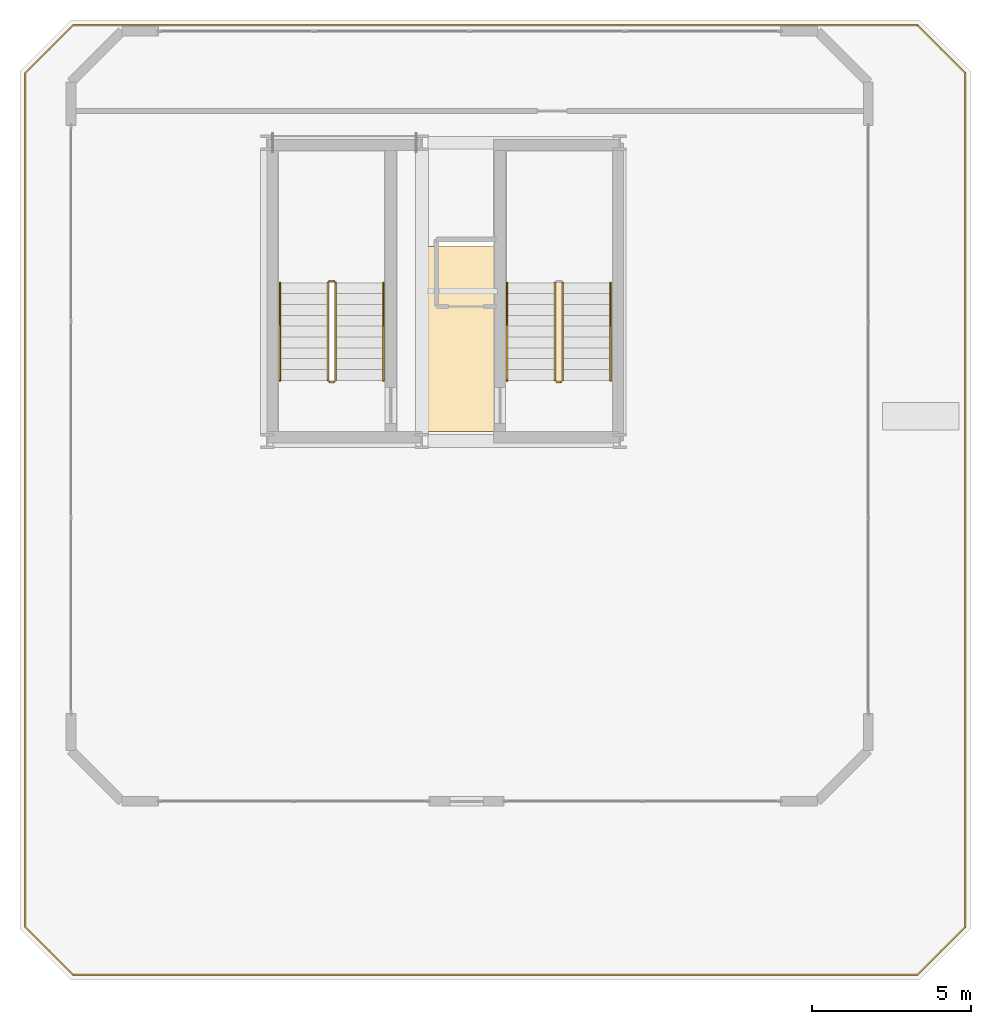
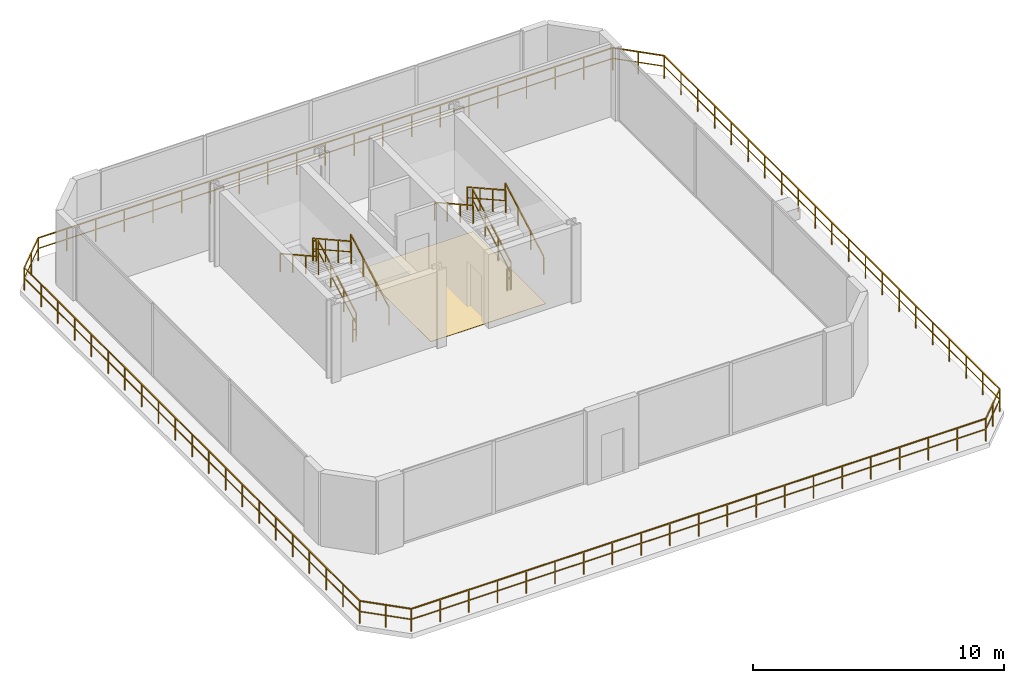
# One storey, part 15 of 16: 13 railings, 1 covering.
"""IFC4 building model written with IfcOpenShell, lengths in metres."""

from ifc_helpers import new_model, si_unit, direction, frame, origin, origin_2d, place, context, subcontext, project, spatial, polyline, rectangle, outline, extrude, material, layer, layer_set, type_object, element, save


model = new_model("IFC4")

# Units and contexts
model_context = context("Model", 3, precision=1e-05, world=origin(), true_north=direction((0.0, 1.0)))
body_context = subcontext(model_context, "Body", "Model", "MODEL_VIEW")
ifc_project = project(units=[si_unit("LENGTHUNIT", "METRE"), si_unit("AREAUNIT", "SQUARE_METRE"), si_unit("VOLUMEUNIT", "CUBIC_METRE"), si_unit("PLANEANGLEUNIT", "RADIAN"), si_unit("MASSUNIT", "GRAM", prefix="KILO")], contexts=[model_context])

# Site, building, storey
site_placement = place(None, origin())
site = spatial("IfcSite", under=ifc_project, at=site_placement, CompositionType="ELEMENT")
building_placement = place(site_placement, origin())
building = spatial("IfcBuilding", under=site, at=building_placement, Name="Zuhayl Quay Hotel", CompositionType="ELEMENT")
storey_placement = place(building_placement, frame((0.0, 0.0, 308.64990234375)))
storey = spatial("IfcBuildingStorey", under=building, at=storey_placement, Name="Crown 4", CompositionType="ELEMENT", Elevation=308.64990234375)

# Covering
ifc_material_1 = material(Name="EPDM Elastomeric Waterproofing Membrane")
ifc_layer = layer(ifc_material_1, 0.014892578125, Name="EPDM Elastomeric Waterproofing Membrane")
ifc_layer_set = layer_set([ifc_layer], Name="EPDM Elastomeric Waterproofing Membrane")
covering_type = type_object("IfcCoveringType", Name="CV_ROOF_MEMBRANE", PredefinedType="ROOFING", material=ifc_layer_set)
covering_placement = place(storey_placement, origin())
element("IfcCovering", 1, at=covering_placement, inside=storey, type_object=covering_type, Name="Crown 4 Elastomeric Roof Membrane", PredefinedType="ROOFING", context=body_context, shape_type="SweptSolid", body=[
    extrude(outline(polyline([(-4.800048828125, 25.39990234375), (0.5, 25.39990234375), (0.5, 31.199951171875), (-4.800048828125, 31.199951171875), (-4.800048828125, 25.39990234375)])), origin(), (0.0, 0.0, 1.0), 0.01513671875),
])

# Railings
ifc_material_2 = material(Name="Anodised Aluminium and Laminated Glass", Category="aluminium")
railing_type_1 = type_object("IfcRailingType", Name="RL_EXT_BAL_1100", PredefinedType="BALUSTRADE", material=ifc_material_2)
railing_1_placement = place(storey_placement, frame((-15.53369140625, 8.360107421875, 0.0)))
element("IfcRailing", 2, at=railing_1_placement, inside=storey, type_object=railing_type_1, Name="Crown 4 Balcony and Terrace Guard GR_CROWN_4_1A", PredefinedType="BALUSTRADE", context=body_context, shape_type="SweptSolid", body=[
    extrude(rectangle(XDim=0.048095703125, YDim=0.048095703125, at=origin_2d()), frame((0.0, 0.0, 1.09619140625), z_axis=(-0.707164085516, 0.707049472212, 0.0), x_axis=(-0.707049472212, -0.707164085516, 0.0)), (0.0, 0.0, 1.0), 2.130126953125),
    extrude(rectangle(XDim=0.0361328125, YDim=0.0361328125, at=origin_2d()), frame((0.0, 0.0, 0.58251953125), z_axis=(-0.707164085516, 0.707049472212, 0.0), x_axis=(-0.707049472212, -0.707164085516, 0.0)), (0.0, 0.0, 1.0), 2.130126953125),
    extrude(rectangle(XDim=0.048095703125, YDim=0.048095703125, at=origin_2d()), frame((-1.50634765625, 1.506103515625, 1.09619140625), z_axis=(0.0, 1.0, 0.0), x_axis=(-1.0, 0.0, 0.0)), (0.0, 0.0, 1.0), 26.767578125),
    extrude(rectangle(XDim=0.0361328125, YDim=0.0361328125, at=origin_2d()), frame((-1.50634765625, 1.506103515625, 0.58251953125), z_axis=(0.0, 1.0, 0.0), x_axis=(-1.0, 0.0, 0.0)), (0.0, 0.0, 1.0), 26.767578125),
    extrude(rectangle(XDim=0.048095703125, YDim=0.048095703125, at=origin_2d()), frame((-1.50634765625, 28.273681640625, 1.09619140625), z_axis=(0.707164085516, 0.707049472212, 0.0), x_axis=(-0.707049472212, 0.707164085516, 0.0)), (0.0, 0.0, 1.0), 2.130126953125),
    extrude(rectangle(XDim=0.0361328125, YDim=0.0361328125, at=origin_2d()), frame((-1.50634765625, 28.273681640625, 0.58251953125), z_axis=(0.707164085516, 0.707049472212, 0.0), x_axis=(-0.707049472212, 0.707164085516, 0.0)), (0.0, 0.0, 1.0), 2.130126953125),
    extrude(rectangle(XDim=0.048095703125, YDim=0.048095703125, at=origin_2d()), frame((0.0, 29.77978515625, 1.09619140625), z_axis=(1.0, 0.0, 0.0), x_axis=(0.0, 1.0, 0.0)), (0.0, 0.0, 1.0), 26.46728515625),
    extrude(rectangle(XDim=0.0361328125, YDim=0.0361328125, at=origin_2d()), frame((0.0, 29.77978515625, 0.58251953125), z_axis=(1.0, 0.0, 0.0), x_axis=(0.0, 1.0, 0.0)), (0.0, 0.0, 1.0), 26.46728515625),
    extrude(rectangle(XDim=0.0419921875, YDim=0.0419921875, at=origin_2d()), origin(), (0.0, 0.0, 1.0), 1.072021484375),
    extrude(rectangle(XDim=0.0419921875, YDim=0.0419921875, at=origin_2d()), frame((-0.753173828125, 0.7529296875, 0.0)), (0.0, 0.0, 1.0), 1.072021484375),
    extrude(rectangle(XDim=0.0419921875, YDim=0.0419921875, at=origin_2d()), frame((-1.50634765625, 1.506103515625, 0.0)), (0.0, 0.0, 1.0), 1.072021484375),
    extrude(rectangle(XDim=0.0419921875, YDim=0.0419921875, at=origin_2d()), frame((-1.50634765625, 2.844482421875, 0.0)), (0.0, 0.0, 1.0), 1.072021484375),
    extrude(rectangle(XDim=0.0419921875, YDim=0.0419921875, at=origin_2d()), frame((-1.50634765625, 4.182861328125, 0.0)), (0.0, 0.0, 1.0), 1.072021484375),
    extrude(rectangle(XDim=0.0419921875, YDim=0.0419921875, at=origin_2d()), frame((-1.50634765625, 5.521240234375, 0.0)), (0.0, 0.0, 1.0), 1.072021484375),
    extrude(rectangle(XDim=0.0419921875, YDim=0.0419921875, at=origin_2d()), frame((-1.50634765625, 6.859619140625, 0.0)), (0.0, 0.0, 1.0), 1.072021484375),
    extrude(rectangle(XDim=0.0419921875, YDim=0.0419921875, at=origin_2d()), frame((-1.50634765625, 8.197998046875, 0.0)), (0.0, 0.0, 1.0), 1.072021484375),
    extrude(rectangle(XDim=0.0419921875, YDim=0.0419921875, at=origin_2d()), frame((-1.50634765625, 9.536376953125, 0.0)), (0.0, 0.0, 1.0), 1.072021484375),
    extrude(rectangle(XDim=0.0419921875, YDim=0.0419921875, at=origin_2d()), frame((-1.50634765625, 10.874755859375, 0.0)), (0.0, 0.0, 1.0), 1.072021484375),
    extrude(rectangle(XDim=0.0419921875, YDim=0.0419921875, at=origin_2d()), frame((-1.50634765625, 12.213134765625, 0.0)), (0.0, 0.0, 1.0), 1.072021484375),
    extrude(rectangle(XDim=0.0419921875, YDim=0.0419921875, at=origin_2d()), frame((-1.50634765625, 13.551513671875, 0.0)), (0.0, 0.0, 1.0), 1.072021484375),
    extrude(rectangle(XDim=0.0419921875, YDim=0.0419921875, at=origin_2d()), frame((-1.50634765625, 14.889892578125, 0.0)), (0.0, 0.0, 1.0), 1.072021484375),
    extrude(rectangle(XDim=0.0419921875, YDim=0.0419921875, at=origin_2d()), frame((-1.50634765625, 16.228271484375, 0.0)), (0.0, 0.0, 1.0), 1.072021484375),
    extrude(rectangle(XDim=0.0419921875, YDim=0.0419921875, at=origin_2d()), frame((-1.50634765625, 17.566650390625, 0.0)), (0.0, 0.0, 1.0), 1.072021484375),
    extrude(rectangle(XDim=0.0419921875, YDim=0.0419921875, at=origin_2d()), frame((-1.50634765625, 18.905029296875, 0.0)), (0.0, 0.0, 1.0), 1.072021484375),
    extrude(rectangle(XDim=0.0419921875, YDim=0.0419921875, at=origin_2d()), frame((-1.50634765625, 20.243408203125, 0.0)), (0.0, 0.0, 1.0), 1.072021484375),
    extrude(rectangle(XDim=0.0419921875, YDim=0.0419921875, at=origin_2d()), frame((-1.50634765625, 21.581787109375, 0.0)), (0.0, 0.0, 1.0), 1.072021484375),
    extrude(rectangle(XDim=0.0419921875, YDim=0.0419921875, at=origin_2d()), frame((-1.50634765625, 22.920166015625, 0.0)), (0.0, 0.0, 1.0), 1.072021484375),
    extrude(rectangle(XDim=0.0419921875, YDim=0.0419921875, at=origin_2d()), frame((-1.50634765625, 24.258544921875, 0.0)), (0.0, 0.0, 1.0), 1.072021484375),
    extrude(rectangle(XDim=0.0419921875, YDim=0.0419921875, at=origin_2d()), frame((-1.50634765625, 25.596923828125, 0.0)), (0.0, 0.0, 1.0), 1.072021484375),
    extrude(rectangle(XDim=0.0419921875, YDim=0.0419921875, at=origin_2d()), frame((-1.50634765625, 26.935302734375, 0.0)), (0.0, 0.0, 1.0), 1.072021484375),
    extrude(rectangle(XDim=0.0419921875, YDim=0.0419921875, at=origin_2d()), frame((-1.50634765625, 28.273681640625, 0.0)), (0.0, 0.0, 1.0), 1.072021484375),
    extrude(rectangle(XDim=0.0419921875, YDim=0.0419921875, at=origin_2d()), frame((-0.753173828125, 29.02685546875, 0.0)), (0.0, 0.0, 1.0), 1.072021484375),
    extrude(rectangle(XDim=0.0419921875, YDim=0.0419921875, at=origin_2d()), frame((0.0, 29.77978515625, 0.0)), (0.0, 0.0, 1.0), 1.072021484375),
    extrude(rectangle(XDim=0.0419921875, YDim=0.0419921875, at=origin_2d()), frame((1.3232421875, 29.77978515625, 0.0)), (0.0, 0.0, 1.0), 1.072021484375),
    extrude(rectangle(XDim=0.0419921875, YDim=0.0419921875, at=origin_2d()), frame((2.646728515625, 29.77978515625, 0.0)), (0.0, 0.0, 1.0), 1.072021484375),
    extrude(rectangle(XDim=0.0419921875, YDim=0.0419921875, at=origin_2d()), frame((3.97021484375, 29.77978515625, 0.0)), (0.0, 0.0, 1.0), 1.072021484375),
    extrude(rectangle(XDim=0.0419921875, YDim=0.0419921875, at=origin_2d()), frame((5.29345703125, 29.77978515625, 0.0)), (0.0, 0.0, 1.0), 1.072021484375),
    extrude(rectangle(XDim=0.0419921875, YDim=0.0419921875, at=origin_2d()), frame((6.61669921875, 29.77978515625, 0.0)), (0.0, 0.0, 1.0), 1.072021484375),
    extrude(rectangle(XDim=0.0419921875, YDim=0.0419921875, at=origin_2d()), frame((7.940185546875, 29.77978515625, 0.0)), (0.0, 0.0, 1.0), 1.072021484375),
    extrude(rectangle(XDim=0.0419921875, YDim=0.0419921875, at=origin_2d()), frame((9.263671875, 29.77978515625, 0.0)), (0.0, 0.0, 1.0), 1.072021484375),
    extrude(rectangle(XDim=0.0419921875, YDim=0.0419921875, at=origin_2d()), frame((10.5869140625, 29.77978515625, 0.0)), (0.0, 0.0, 1.0), 1.072021484375),
    extrude(rectangle(XDim=0.0419921875, YDim=0.0419921875, at=origin_2d()), frame((11.91015625, 29.77978515625, 0.0)), (0.0, 0.0, 1.0), 1.072021484375),
    extrude(rectangle(XDim=0.0419921875, YDim=0.0419921875, at=origin_2d()), frame((13.233642578125, 29.77978515625, 0.0)), (0.0, 0.0, 1.0), 1.072021484375),
    extrude(rectangle(XDim=0.0419921875, YDim=0.0419921875, at=origin_2d()), frame((14.55712890625, 29.77978515625, 0.0)), (0.0, 0.0, 1.0), 1.072021484375),
    extrude(rectangle(XDim=0.0419921875, YDim=0.0419921875, at=origin_2d()), frame((15.88037109375, 29.77978515625, 0.0)), (0.0, 0.0, 1.0), 1.072021484375),
    extrude(rectangle(XDim=0.0419921875, YDim=0.0419921875, at=origin_2d()), frame((17.20361328125, 29.77978515625, 0.0)), (0.0, 0.0, 1.0), 1.072021484375),
    extrude(rectangle(XDim=0.0419921875, YDim=0.0419921875, at=origin_2d()), frame((18.527099609375, 29.77978515625, 0.0)), (0.0, 0.0, 1.0), 1.072021484375),
    extrude(rectangle(XDim=0.0419921875, YDim=0.0419921875, at=origin_2d()), frame((19.8505859375, 29.77978515625, 0.0)), (0.0, 0.0, 1.0), 1.072021484375),
    extrude(rectangle(XDim=0.0419921875, YDim=0.0419921875, at=origin_2d()), frame((21.173828125, 29.77978515625, 0.0)), (0.0, 0.0, 1.0), 1.072021484375),
    extrude(rectangle(XDim=0.0419921875, YDim=0.0419921875, at=origin_2d()), frame((22.4970703125, 29.77978515625, 0.0)), (0.0, 0.0, 1.0), 1.072021484375),
    extrude(rectangle(XDim=0.0419921875, YDim=0.0419921875, at=origin_2d()), frame((23.820556640625, 29.77978515625, 0.0)), (0.0, 0.0, 1.0), 1.072021484375),
    extrude(rectangle(XDim=0.0419921875, YDim=0.0419921875, at=origin_2d()), frame((25.14404296875, 29.77978515625, 0.0)), (0.0, 0.0, 1.0), 1.072021484375),
    extrude(rectangle(XDim=0.0419921875, YDim=0.0419921875, at=origin_2d()), frame((26.46728515625, 29.77978515625, 0.0)), (0.0, 0.0, 1.0), 1.072021484375),
])
railing_2_placement = place(storey_placement, frame((10.93359375, 38.139892578125, 0.0)))
element("IfcRailing", 3, at=railing_2_placement, inside=storey, type_object=railing_type_1, Name="Crown 4 Balcony and Terrace Guard GR_CROWN_4_1B", PredefinedType="BALUSTRADE", context=body_context, shape_type="SweptSolid", body=[
    extrude(rectangle(XDim=0.048095703125, YDim=0.048095703125, at=origin_2d()), frame((0.0, 0.0, 1.09619140625), z_axis=(0.707164085516, -0.707049472212, 0.0), x_axis=(0.707049472212, 0.707164085516, 0.0)), (0.0, 0.0, 1.0), 2.130126953125),
    extrude(rectangle(XDim=0.0361328125, YDim=0.0361328125, at=origin_2d()), frame((0.0, 0.0, 0.58251953125), z_axis=(0.707164085516, -0.707049472212, 0.0), x_axis=(0.707049472212, 0.707164085516, 0.0)), (0.0, 0.0, 1.0), 2.130126953125),
    extrude(rectangle(XDim=0.048095703125, YDim=0.048095703125, at=origin_2d()), frame((1.50634765625, -1.506103515625, 1.09619140625), z_axis=(0.0, -1.0, 0.0), x_axis=(1.0, 0.0, 0.0)), (0.0, 0.0, 1.0), 26.767578125),
    extrude(rectangle(XDim=0.0361328125, YDim=0.0361328125, at=origin_2d()), frame((1.50634765625, -1.506103515625, 0.58251953125), z_axis=(0.0, -1.0, 0.0), x_axis=(1.0, 0.0, 0.0)), (0.0, 0.0, 1.0), 26.767578125),
    extrude(rectangle(XDim=0.048095703125, YDim=0.048095703125, at=origin_2d()), frame((1.50634765625, -28.273681640625, 1.09619140625), z_axis=(-0.707164085516, -0.707049472212, 0.0), x_axis=(0.707049472212, -0.707164085516, 0.0)), (0.0, 0.0, 1.0), 2.130126953125),
    extrude(rectangle(XDim=0.0361328125, YDim=0.0361328125, at=origin_2d()), frame((1.50634765625, -28.273681640625, 0.58251953125), z_axis=(-0.707164085516, -0.707049472212, 0.0), x_axis=(0.707049472212, -0.707164085516, 0.0)), (0.0, 0.0, 1.0), 2.130126953125),
    extrude(rectangle(XDim=0.048095703125, YDim=0.048095703125, at=origin_2d()), frame((0.0, -29.77978515625, 1.09619140625), z_axis=(-1.0, 0.0, 0.0), x_axis=(0.0, -1.0, 0.0)), (0.0, 0.0, 1.0), 26.46728515625),
    extrude(rectangle(XDim=0.0361328125, YDim=0.0361328125, at=origin_2d()), frame((0.0, -29.77978515625, 0.58251953125), z_axis=(-1.0, 0.0, 0.0), x_axis=(0.0, -1.0, 0.0)), (0.0, 0.0, 1.0), 26.46728515625),
    extrude(rectangle(XDim=0.0419921875, YDim=0.0419921875, at=origin_2d()), origin(), (0.0, 0.0, 1.0), 1.072021484375),
    extrude(rectangle(XDim=0.0419921875, YDim=0.0419921875, at=origin_2d()), frame((0.753173828125, -0.7529296875, 0.0)), (0.0, 0.0, 1.0), 1.072021484375),
    extrude(rectangle(XDim=0.0419921875, YDim=0.0419921875, at=origin_2d()), frame((1.50634765625, -1.506103515625, 0.0)), (0.0, 0.0, 1.0), 1.072021484375),
    extrude(rectangle(XDim=0.0419921875, YDim=0.0419921875, at=origin_2d()), frame((1.50634765625, -2.844482421875, 0.0)), (0.0, 0.0, 1.0), 1.072021484375),
    extrude(rectangle(XDim=0.0419921875, YDim=0.0419921875, at=origin_2d()), frame((1.50634765625, -4.182861328125, 0.0)), (0.0, 0.0, 1.0), 1.072021484375),
    extrude(rectangle(XDim=0.0419921875, YDim=0.0419921875, at=origin_2d()), frame((1.50634765625, -5.521240234375, 0.0)), (0.0, 0.0, 1.0), 1.072021484375),
    extrude(rectangle(XDim=0.0419921875, YDim=0.0419921875, at=origin_2d()), frame((1.50634765625, -6.859619140625, 0.0)), (0.0, 0.0, 1.0), 1.072021484375),
    extrude(rectangle(XDim=0.0419921875, YDim=0.0419921875, at=origin_2d()), frame((1.50634765625, -8.197998046875, 0.0)), (0.0, 0.0, 1.0), 1.072021484375),
    extrude(rectangle(XDim=0.0419921875, YDim=0.0419921875, at=origin_2d()), frame((1.50634765625, -9.536376953125, 0.0)), (0.0, 0.0, 1.0), 1.072021484375),
    extrude(rectangle(XDim=0.0419921875, YDim=0.0419921875, at=origin_2d()), frame((1.50634765625, -10.874755859375, 0.0)), (0.0, 0.0, 1.0), 1.072021484375),
    extrude(rectangle(XDim=0.0419921875, YDim=0.0419921875, at=origin_2d()), frame((1.50634765625, -12.213134765625, 0.0)), (0.0, 0.0, 1.0), 1.072021484375),
    extrude(rectangle(XDim=0.0419921875, YDim=0.0419921875, at=origin_2d()), frame((1.50634765625, -13.551513671875, 0.0)), (0.0, 0.0, 1.0), 1.072021484375),
    extrude(rectangle(XDim=0.0419921875, YDim=0.0419921875, at=origin_2d()), frame((1.50634765625, -14.889892578125, 0.0)), (0.0, 0.0, 1.0), 1.072021484375),
    extrude(rectangle(XDim=0.0419921875, YDim=0.0419921875, at=origin_2d()), frame((1.50634765625, -16.228271484375, 0.0)), (0.0, 0.0, 1.0), 1.072021484375),
    extrude(rectangle(XDim=0.0419921875, YDim=0.0419921875, at=origin_2d()), frame((1.50634765625, -17.566650390625, 0.0)), (0.0, 0.0, 1.0), 1.072021484375),
    extrude(rectangle(XDim=0.0419921875, YDim=0.0419921875, at=origin_2d()), frame((1.50634765625, -18.905029296875, 0.0)), (0.0, 0.0, 1.0), 1.072021484375),
    extrude(rectangle(XDim=0.0419921875, YDim=0.0419921875, at=origin_2d()), frame((1.50634765625, -20.243408203125, 0.0)), (0.0, 0.0, 1.0), 1.072021484375),
    extrude(rectangle(XDim=0.0419921875, YDim=0.0419921875, at=origin_2d()), frame((1.50634765625, -21.581787109375, 0.0)), (0.0, 0.0, 1.0), 1.072021484375),
    extrude(rectangle(XDim=0.0419921875, YDim=0.0419921875, at=origin_2d()), frame((1.50634765625, -22.920166015625, 0.0)), (0.0, 0.0, 1.0), 1.072021484375),
    extrude(rectangle(XDim=0.0419921875, YDim=0.0419921875, at=origin_2d()), frame((1.50634765625, -24.258544921875, 0.0)), (0.0, 0.0, 1.0), 1.072021484375),
    extrude(rectangle(XDim=0.0419921875, YDim=0.0419921875, at=origin_2d()), frame((1.50634765625, -25.596923828125, 0.0)), (0.0, 0.0, 1.0), 1.072021484375),
    extrude(rectangle(XDim=0.0419921875, YDim=0.0419921875, at=origin_2d()), frame((1.50634765625, -26.935302734375, 0.0)), (0.0, 0.0, 1.0), 1.072021484375),
    extrude(rectangle(XDim=0.0419921875, YDim=0.0419921875, at=origin_2d()), frame((1.50634765625, -28.273681640625, 0.0)), (0.0, 0.0, 1.0), 1.072021484375),
    extrude(rectangle(XDim=0.0419921875, YDim=0.0419921875, at=origin_2d()), frame((0.753173828125, -29.02685546875, 0.0)), (0.0, 0.0, 1.0), 1.072021484375),
    extrude(rectangle(XDim=0.0419921875, YDim=0.0419921875, at=origin_2d()), frame((0.0, -29.77978515625, 0.0)), (0.0, 0.0, 1.0), 1.072021484375),
    extrude(rectangle(XDim=0.0419921875, YDim=0.0419921875, at=origin_2d()), frame((-1.3232421875, -29.77978515625, 0.0)), (0.0, 0.0, 1.0), 1.072021484375),
    extrude(rectangle(XDim=0.0419921875, YDim=0.0419921875, at=origin_2d()), frame((-2.646728515625, -29.77978515625, 0.0)), (0.0, 0.0, 1.0), 1.072021484375),
    extrude(rectangle(XDim=0.0419921875, YDim=0.0419921875, at=origin_2d()), frame((-3.97021484375, -29.77978515625, 0.0)), (0.0, 0.0, 1.0), 1.072021484375),
    extrude(rectangle(XDim=0.0419921875, YDim=0.0419921875, at=origin_2d()), frame((-5.29345703125, -29.77978515625, 0.0)), (0.0, 0.0, 1.0), 1.072021484375),
    extrude(rectangle(XDim=0.0419921875, YDim=0.0419921875, at=origin_2d()), frame((-6.61669921875, -29.77978515625, 0.0)), (0.0, 0.0, 1.0), 1.072021484375),
    extrude(rectangle(XDim=0.0419921875, YDim=0.0419921875, at=origin_2d()), frame((-7.940185546875, -29.77978515625, 0.0)), (0.0, 0.0, 1.0), 1.072021484375),
    extrude(rectangle(XDim=0.0419921875, YDim=0.0419921875, at=origin_2d()), frame((-9.263671875, -29.77978515625, 0.0)), (0.0, 0.0, 1.0), 1.072021484375),
    extrude(rectangle(XDim=0.0419921875, YDim=0.0419921875, at=origin_2d()), frame((-10.5869140625, -29.77978515625, 0.0)), (0.0, 0.0, 1.0), 1.072021484375),
    extrude(rectangle(XDim=0.0419921875, YDim=0.0419921875, at=origin_2d()), frame((-11.91015625, -29.77978515625, 0.0)), (0.0, 0.0, 1.0), 1.072021484375),
    extrude(rectangle(XDim=0.0419921875, YDim=0.0419921875, at=origin_2d()), frame((-13.233642578125, -29.77978515625, 0.0)), (0.0, 0.0, 1.0), 1.072021484375),
    extrude(rectangle(XDim=0.0419921875, YDim=0.0419921875, at=origin_2d()), frame((-14.55712890625, -29.77978515625, 0.0)), (0.0, 0.0, 1.0), 1.072021484375),
    extrude(rectangle(XDim=0.0419921875, YDim=0.0419921875, at=origin_2d()), frame((-15.88037109375, -29.77978515625, 0.0)), (0.0, 0.0, 1.0), 1.072021484375),
    extrude(rectangle(XDim=0.0419921875, YDim=0.0419921875, at=origin_2d()), frame((-17.20361328125, -29.77978515625, 0.0)), (0.0, 0.0, 1.0), 1.072021484375),
    extrude(rectangle(XDim=0.0419921875, YDim=0.0419921875, at=origin_2d()), frame((-18.527099609375, -29.77978515625, 0.0)), (0.0, 0.0, 1.0), 1.072021484375),
    extrude(rectangle(XDim=0.0419921875, YDim=0.0419921875, at=origin_2d()), frame((-19.8505859375, -29.77978515625, 0.0)), (0.0, 0.0, 1.0), 1.072021484375),
    extrude(rectangle(XDim=0.0419921875, YDim=0.0419921875, at=origin_2d()), frame((-21.173828125, -29.77978515625, 0.0)), (0.0, 0.0, 1.0), 1.072021484375),
    extrude(rectangle(XDim=0.0419921875, YDim=0.0419921875, at=origin_2d()), frame((-22.4970703125, -29.77978515625, 0.0)), (0.0, 0.0, 1.0), 1.072021484375),
    extrude(rectangle(XDim=0.0419921875, YDim=0.0419921875, at=origin_2d()), frame((-23.820556640625, -29.77978515625, 0.0)), (0.0, 0.0, 1.0), 1.072021484375),
    extrude(rectangle(XDim=0.0419921875, YDim=0.0419921875, at=origin_2d()), frame((-25.14404296875, -29.77978515625, 0.0)), (0.0, 0.0, 1.0), 1.072021484375),
    extrude(rectangle(XDim=0.0419921875, YDim=0.0419921875, at=origin_2d()), frame((-26.46728515625, -29.77978515625, 0.0)), (0.0, 0.0, 1.0), 1.072021484375),
])
ifc_material_3 = material(Name="Steel ASTM A992 Grade 50", Category="steel")
railing_type_2 = type_object("IfcRailingType", Name="RL_GUARD_1100", PredefinedType="GUARDRAIL", material=ifc_material_3)
railing_3_placement = place(storey_placement, frame((-7.300048828125, 27.0, 0.190185546875)))
element("IfcRailing", 4, at=railing_3_placement, inside=storey, type_object=railing_type_2, Name="Crown 4 ST5 stair guard 1", PredefinedType="GUARDRAIL", context=body_context, shape_type="SweptSolid", body=[
    extrude(rectangle(XDim=0.048095703125, YDim=0.048095703125, at=origin_2d()), frame((0.0, 0.0, 1.09619140625), z_axis=(0.0, 0.872952205056, 0.487805747903), x_axis=(-1.0, 0.0, 0.0)), (0.0, 0.0, 1.0), 3.50537109375),
    extrude(rectangle(XDim=0.0361328125, YDim=0.0361328125, at=origin_2d()), frame((0.0, 0.0, 0.58251953125), z_axis=(0.0, 0.872952205056, 0.487805747903), x_axis=(-1.0, 0.0, 0.0)), (0.0, 0.0, 1.0), 3.50537109375),
    extrude(rectangle(XDim=0.0419921875, YDim=0.0419921875, at=origin_2d()), origin(), (0.0, 0.0, 1.0), 1.072021484375),
    extrude(rectangle(XDim=0.0419921875, YDim=0.0419921875, at=origin_2d()), frame((0.0, 1.02001953125, 0.570068359375)), (0.0, 0.0, 1.0), 1.072021484375),
    extrude(rectangle(XDim=0.0419921875, YDim=0.0419921875, at=origin_2d()), frame((0.0, 2.0400390625, 1.139892578125)), (0.0, 0.0, 1.0), 1.072021484375),
    extrude(rectangle(XDim=0.0419921875, YDim=0.0419921875, at=origin_2d()), frame((0.0, 3.06005859375, 1.7099609375)), (0.0, 0.0, 1.0), 1.072021484375),
])
railing_4_placement = place(storey_placement, frame((-7.35009765625, 30.110107421875, 1.900146484375)))
element("IfcRailing", 5, at=railing_4_placement, inside=storey, type_object=railing_type_2, Name="Crown 4 ST5 stair guard 2", PredefinedType="GUARDRAIL", context=body_context, shape_type="SweptSolid", body=[
    extrude(rectangle(XDim=0.048095703125, YDim=0.048095703125, at=origin_2d()), frame((0.0, 0.0, 1.09619140625), z_axis=(-1.0, 0.0, 0.0), x_axis=(0.0, -1.0, 0.0)), (0.0, 0.0, 1.0), 0.14990234375),
    extrude(rectangle(XDim=0.0361328125, YDim=0.0361328125, at=origin_2d()), frame((0.0, 0.0, 0.58251953125), z_axis=(-1.0, 0.0, 0.0), x_axis=(0.0, -1.0, 0.0)), (0.0, 0.0, 1.0), 0.14990234375),
    extrude(rectangle(XDim=0.0419921875, YDim=0.0419921875, at=origin_2d()), origin(), (0.0, 0.0, 1.0), 1.072021484375),
    extrude(rectangle(XDim=0.0419921875, YDim=0.0419921875, at=origin_2d()), frame((-0.14990234375, 0.0, 0.0)), (0.0, 0.0, 1.0), 1.072021484375),
])
railing_5_placement = place(storey_placement, frame((-7.550048828125, 30.06005859375, 2.090087890625)))
element("IfcRailing", 6, at=railing_5_placement, inside=storey, type_object=railing_type_2, Name="Crown 4 ST5 stair guard 3", PredefinedType="GUARDRAIL", context=body_context, shape_type="SweptSolid", body=[
    extrude(rectangle(XDim=0.048095703125, YDim=0.048095703125, at=origin_2d()), frame((0.0, 0.0, 1.09619140625), z_axis=(0.0, -0.872952205056, 0.487805747903), x_axis=(1.0, 0.0, 0.0)), (0.0, 0.0, 1.0), 3.50537109375),
    extrude(rectangle(XDim=0.0361328125, YDim=0.0361328125, at=origin_2d()), frame((0.0, 0.0, 0.58251953125), z_axis=(0.0, -0.872952205056, 0.487805747903), x_axis=(1.0, 0.0, 0.0)), (0.0, 0.0, 1.0), 3.50537109375),
    extrude(rectangle(XDim=0.0419921875, YDim=0.0419921875, at=origin_2d()), origin(), (0.0, 0.0, 1.0), 1.072021484375),
    extrude(rectangle(XDim=0.0419921875, YDim=0.0419921875, at=origin_2d()), frame((0.0, -1.02001953125, 0.570068359375)), (0.0, 0.0, 1.0), 1.072021484375),
    extrude(rectangle(XDim=0.0419921875, YDim=0.0419921875, at=origin_2d()), frame((0.0, -2.0400390625, 1.139892578125)), (0.0, 0.0, 1.0), 1.072021484375),
    extrude(rectangle(XDim=0.0419921875, YDim=0.0419921875, at=origin_2d()), frame((0.0, -3.06005859375, 1.7099609375)), (0.0, 0.0, 1.0), 1.072021484375),
])
railing_6_placement = place(storey_placement, frame((-7.35009765625, 26.949951171875, 0.0)))
element("IfcRailing", 7, at=railing_6_placement, inside=storey, type_object=railing_type_2, Name="Crown 4 ST5 stair guard 4", PredefinedType="GUARDRAIL", context=body_context, shape_type="SweptSolid", body=[
    extrude(rectangle(XDim=0.048095703125, YDim=0.048095703125, at=origin_2d()), frame((0.0, 0.0, 1.09619140625), z_axis=(-1.0, 0.0, 0.0), x_axis=(0.0, -1.0, 0.0)), (0.0, 0.0, 1.0), 0.14990234375),
    extrude(rectangle(XDim=0.0361328125, YDim=0.0361328125, at=origin_2d()), frame((0.0, 0.0, 0.58251953125), z_axis=(-1.0, 0.0, 0.0), x_axis=(0.0, -1.0, 0.0)), (0.0, 0.0, 1.0), 0.14990234375),
    extrude(rectangle(XDim=0.0419921875, YDim=0.0419921875, at=origin_2d()), origin(), (0.0, 0.0, 1.0), 1.072021484375),
    extrude(rectangle(XDim=0.0419921875, YDim=0.0419921875, at=origin_2d()), frame((-0.14990234375, 0.0, 0.0)), (0.0, 0.0, 1.0), 1.072021484375),
])
railing_7_placement = place(storey_placement, frame((-0.179931640625, 27.0, 0.190185546875)))
element("IfcRailing", 8, at=railing_7_placement, inside=storey, type_object=railing_type_2, Name="Crown 4 ST6 stair guard 1", PredefinedType="GUARDRAIL", context=body_context, shape_type="SweptSolid", body=[
    extrude(rectangle(XDim=0.048095703125, YDim=0.048095703125, at=origin_2d()), frame((0.0, 0.0, 1.09619140625), z_axis=(0.0, 0.872952205056, 0.487805747903), x_axis=(-1.0, 0.0, 0.0)), (0.0, 0.0, 1.0), 3.50537109375),
    extrude(rectangle(XDim=0.0361328125, YDim=0.0361328125, at=origin_2d()), frame((0.0, 0.0, 0.58251953125), z_axis=(0.0, 0.872952205056, 0.487805747903), x_axis=(-1.0, 0.0, 0.0)), (0.0, 0.0, 1.0), 3.50537109375),
    extrude(rectangle(XDim=0.0419921875, YDim=0.0419921875, at=origin_2d()), origin(), (0.0, 0.0, 1.0), 1.072021484375),
    extrude(rectangle(XDim=0.0419921875, YDim=0.0419921875, at=origin_2d()), frame((0.0, 1.02001953125, 0.570068359375)), (0.0, 0.0, 1.0), 1.072021484375),
    extrude(rectangle(XDim=0.0419921875, YDim=0.0419921875, at=origin_2d()), frame((0.0, 2.0400390625, 1.139892578125)), (0.0, 0.0, 1.0), 1.072021484375),
    extrude(rectangle(XDim=0.0419921875, YDim=0.0419921875, at=origin_2d()), frame((0.0, 3.06005859375, 1.7099609375)), (0.0, 0.0, 1.0), 1.072021484375),
])
railing_8_placement = place(storey_placement, frame((-0.429931640625, 30.06005859375, 2.090087890625)))
element("IfcRailing", 9, at=railing_8_placement, inside=storey, type_object=railing_type_2, Name="Crown 4 ST6 stair guard 3", PredefinedType="GUARDRAIL", context=body_context, shape_type="SweptSolid", body=[
    extrude(rectangle(XDim=0.048095703125, YDim=0.048095703125, at=origin_2d()), frame((0.0, 0.0, 1.09619140625), z_axis=(0.0, -0.872952205056, 0.487805747903), x_axis=(1.0, 0.0, 0.0)), (0.0, 0.0, 1.0), 3.50537109375),
    extrude(rectangle(XDim=0.0361328125, YDim=0.0361328125, at=origin_2d()), frame((0.0, 0.0, 0.58251953125), z_axis=(0.0, -0.872952205056, 0.487805747903), x_axis=(1.0, 0.0, 0.0)), (0.0, 0.0, 1.0), 3.50537109375),
    extrude(rectangle(XDim=0.0419921875, YDim=0.0419921875, at=origin_2d()), origin(), (0.0, 0.0, 1.0), 1.072021484375),
    extrude(rectangle(XDim=0.0419921875, YDim=0.0419921875, at=origin_2d()), frame((0.0, -1.02001953125, 0.570068359375)), (0.0, 0.0, 1.0), 1.072021484375),
    extrude(rectangle(XDim=0.0419921875, YDim=0.0419921875, at=origin_2d()), frame((0.0, -2.0400390625, 1.139892578125)), (0.0, 0.0, 1.0), 1.072021484375),
    extrude(rectangle(XDim=0.0419921875, YDim=0.0419921875, at=origin_2d()), frame((0.0, -3.06005859375, 1.7099609375)), (0.0, 0.0, 1.0), 1.072021484375),
])
railing_9_placement = place(storey_placement, frame((-0.22998046875, 26.949951171875, 0.0)))
element("IfcRailing", 10, at=railing_9_placement, inside=storey, type_object=railing_type_2, Name="Crown 4 ST6 stair guard 4", PredefinedType="GUARDRAIL", context=body_context, shape_type="SweptSolid", body=[
    extrude(rectangle(XDim=0.048095703125, YDim=0.048095703125, at=origin_2d()), frame((0.0, 0.0, 1.09619140625), z_axis=(-1.0, 0.0, 0.0), x_axis=(0.0, -1.0, 0.0)), (0.0, 0.0, 1.0), 0.14990234375),
    extrude(rectangle(XDim=0.0361328125, YDim=0.0361328125, at=origin_2d()), frame((0.0, 0.0, 0.58251953125), z_axis=(-1.0, 0.0, 0.0), x_axis=(0.0, -1.0, 0.0)), (0.0, 0.0, 1.0), 0.14990234375),
    extrude(rectangle(XDim=0.0419921875, YDim=0.0419921875, at=origin_2d()), origin(), (0.0, 0.0, 1.0), 1.072021484375),
    extrude(rectangle(XDim=0.0419921875, YDim=0.0419921875, at=origin_2d()), frame((-0.14990234375, 0.0, 0.0)), (0.0, 0.0, 1.0), 1.072021484375),
])
railing_type_3 = type_object("IfcRailingType", Name="RL_HANDRAIL_920", PredefinedType="HANDRAIL", material=ifc_material_3)
railing_10_placement = place(storey_placement, frame((-5.800048828125, 27.0, 0.190185546875)))
element("IfcRailing", 11, at=railing_10_placement, inside=storey, type_object=railing_type_3, Name="Crown 4 ST5 stair handrail 1", PredefinedType="HANDRAIL", context=body_context, shape_type="SweptSolid", body=[
    extrude(rectangle(XDim=0.048095703125, YDim=0.048095703125, at=origin_2d()), frame((0.0, 0.0, 0.8759765625), z_axis=(0.0, 0.872952205056, 0.487805747903), x_axis=(-1.0, 0.0, 0.0)), (0.0, 0.0, 1.0), 3.50537109375),
    extrude(rectangle(XDim=0.0419921875, YDim=0.0419921875, at=origin_2d()), origin(), (0.0, 0.0, 1.0), 0.851806640625),
    extrude(rectangle(XDim=0.0419921875, YDim=0.0419921875, at=origin_2d()), frame((0.0, 1.02001953125, 0.570068359375)), (0.0, 0.0, 1.0), 0.851806640625),
    extrude(rectangle(XDim=0.0419921875, YDim=0.0419921875, at=origin_2d()), frame((0.0, 2.0400390625, 1.139892578125)), (0.0, 0.0, 1.0), 0.851806640625),
    extrude(rectangle(XDim=0.0419921875, YDim=0.0419921875, at=origin_2d()), frame((0.0, 3.06005859375, 1.7099609375)), (0.0, 0.0, 1.0), 0.851806640625),
])
railing_11_placement = place(storey_placement, frame((-9.050048828125, 30.06005859375, 2.090087890625)))
element("IfcRailing", 12, at=railing_11_placement, inside=storey, type_object=railing_type_3, Name="Crown 4 ST5 stair handrail 2", PredefinedType="HANDRAIL", context=body_context, shape_type="SweptSolid", body=[
    extrude(rectangle(XDim=0.048095703125, YDim=0.048095703125, at=origin_2d()), frame((0.0, 0.0, 0.8759765625), z_axis=(0.0, -0.872952205056, 0.487805747903), x_axis=(1.0, 0.0, 0.0)), (0.0, 0.0, 1.0), 3.50537109375),
    extrude(rectangle(XDim=0.0419921875, YDim=0.0419921875, at=origin_2d()), origin(), (0.0, 0.0, 1.0), 0.851806640625),
    extrude(rectangle(XDim=0.0419921875, YDim=0.0419921875, at=origin_2d()), frame((0.0, -1.02001953125, 0.570068359375)), (0.0, 0.0, 1.0), 0.851806640625),
    extrude(rectangle(XDim=0.0419921875, YDim=0.0419921875, at=origin_2d()), frame((0.0, -2.0400390625, 1.139892578125)), (0.0, 0.0, 1.0), 0.851806640625),
    extrude(rectangle(XDim=0.0419921875, YDim=0.0419921875, at=origin_2d()), frame((0.0, -3.06005859375, 1.7099609375)), (0.0, 0.0, 1.0), 0.851806640625),
])
railing_12_placement = place(storey_placement, frame((1.320068359375, 27.0, 0.190185546875)))
element("IfcRailing", 13, at=railing_12_placement, inside=storey, type_object=railing_type_3, Name="Crown 4 ST6 stair handrail 1", PredefinedType="HANDRAIL", context=body_context, shape_type="SweptSolid", body=[
    extrude(rectangle(XDim=0.048095703125, YDim=0.048095703125, at=origin_2d()), frame((0.0, 0.0, 0.8759765625), z_axis=(0.0, 0.872952205056, 0.487805747903), x_axis=(-1.0, 0.0, 0.0)), (0.0, 0.0, 1.0), 3.50537109375),
    extrude(rectangle(XDim=0.0419921875, YDim=0.0419921875, at=origin_2d()), origin(), (0.0, 0.0, 1.0), 0.851806640625),
    extrude(rectangle(XDim=0.0419921875, YDim=0.0419921875, at=origin_2d()), frame((0.0, 1.02001953125, 0.570068359375)), (0.0, 0.0, 1.0), 0.851806640625),
    extrude(rectangle(XDim=0.0419921875, YDim=0.0419921875, at=origin_2d()), frame((0.0, 2.0400390625, 1.139892578125)), (0.0, 0.0, 1.0), 0.851806640625),
    extrude(rectangle(XDim=0.0419921875, YDim=0.0419921875, at=origin_2d()), frame((0.0, 3.06005859375, 1.7099609375)), (0.0, 0.0, 1.0), 0.851806640625),
])
railing_13_placement = place(storey_placement, frame((-1.929931640625, 30.06005859375, 2.090087890625)))
element("IfcRailing", 14, at=railing_13_placement, inside=storey, type_object=railing_type_3, Name="Crown 4 ST6 stair handrail 2", PredefinedType="HANDRAIL", context=body_context, shape_type="SweptSolid", body=[
    extrude(rectangle(XDim=0.048095703125, YDim=0.048095703125, at=origin_2d()), frame((0.0, 0.0, 0.8759765625), z_axis=(0.0, -0.872952205056, 0.487805747903), x_axis=(1.0, 0.0, 0.0)), (0.0, 0.0, 1.0), 3.50537109375),
    extrude(rectangle(XDim=0.0419921875, YDim=0.0419921875, at=origin_2d()), origin(), (0.0, 0.0, 1.0), 0.851806640625),
    extrude(rectangle(XDim=0.0419921875, YDim=0.0419921875, at=origin_2d()), frame((0.0, -1.02001953125, 0.570068359375)), (0.0, 0.0, 1.0), 0.851806640625),
    extrude(rectangle(XDim=0.0419921875, YDim=0.0419921875, at=origin_2d()), frame((0.0, -2.0400390625, 1.139892578125)), (0.0, 0.0, 1.0), 0.851806640625),
    extrude(rectangle(XDim=0.0419921875, YDim=0.0419921875, at=origin_2d()), frame((0.0, -3.06005859375, 1.7099609375)), (0.0, 0.0, 1.0), 0.851806640625),
])

save(model, "model.ifc")
